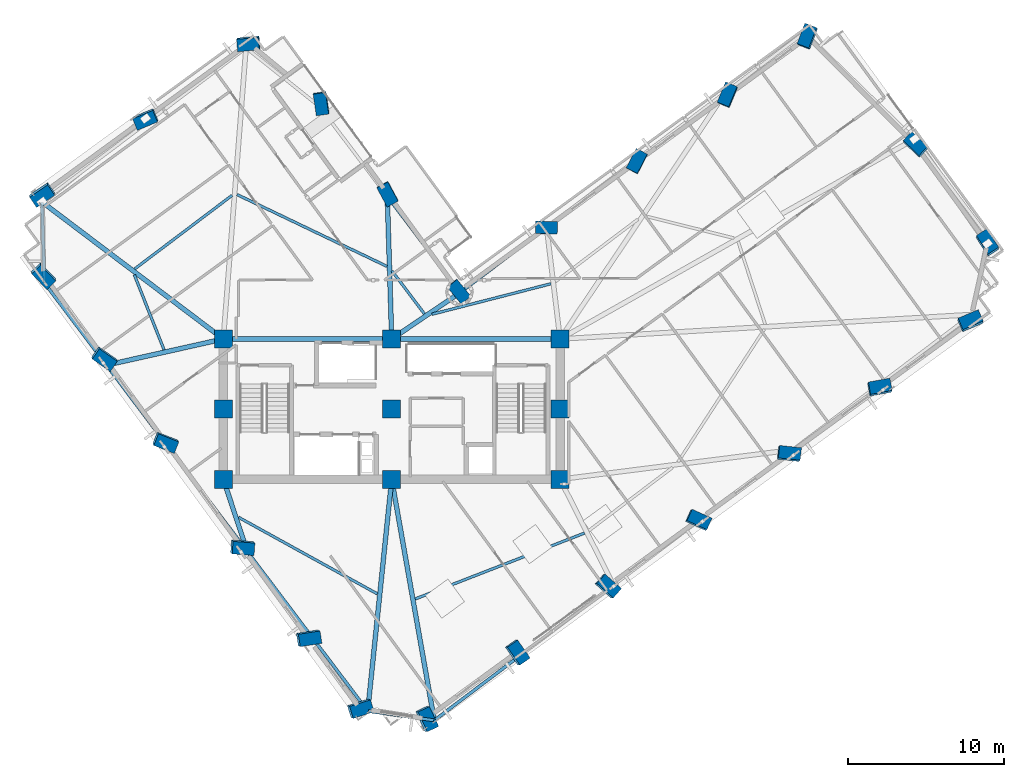
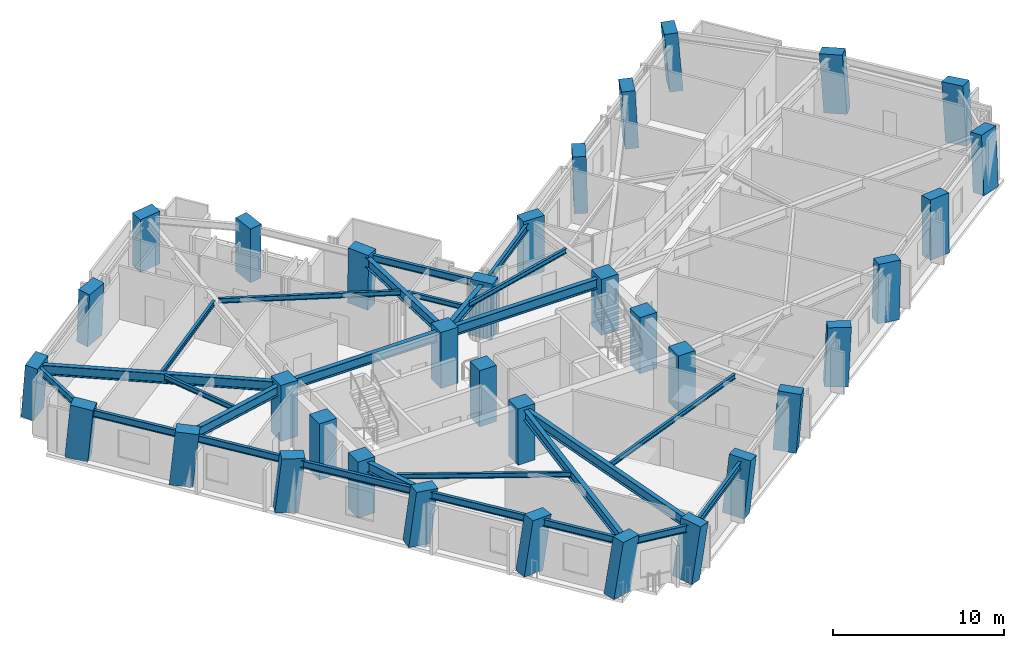
# One storey, part 1 of 14: 34 columns, 26 beams.
"""IFC4 building model written with IfcOpenShell, lengths in metres."""

from ifc_helpers import new_model, si_unit, direction, frame, origin, origin_2d, place, context, subcontext, project, spatial, rectangle, i_section, extrude, material, material_profile, profile_set, type_object, element, save


model = new_model("IFC4")

# Units and contexts
model_context = context("Model", 3, precision=1e-05, world=origin(), true_north=direction((0.0, 1.0)))
body_context = subcontext(model_context, "Body", "Model", "MODEL_VIEW")
ifc_project = project(units=[si_unit("LENGTHUNIT", "METRE"), si_unit("AREAUNIT", "SQUARE_METRE"), si_unit("VOLUMEUNIT", "CUBIC_METRE"), si_unit("PLANEANGLEUNIT", "RADIAN"), si_unit("MASSUNIT", "GRAM", prefix="KILO")], contexts=[model_context])

# Site, building, storey
site_placement = place(None, origin())
site = spatial("IfcSite", under=ifc_project, at=site_placement, CompositionType="ELEMENT")
building_placement = place(site_placement, origin())
building = spatial("IfcBuilding", under=site, at=building_placement, Name="Gaonmaruhae Medical Tower", CompositionType="ELEMENT")
storey_placement = place(building_placement, frame((0.0, 0.0, 177.800048828125)))
storey = spatial("IfcBuildingStorey", under=building, at=storey_placement, Name="L42", CompositionType="ELEMENT", Elevation=177.800048828125)

# Columns
ifc_material_1 = material(Name="Concrete C50/60", Category="concrete")
ifc_material_profile_1 = material_profile(ifc_material_1, rectangle(XDim=1.14990234375, YDim=1.14990234375, at=origin_2d()), Name="RC-1150x1150")
ifc_profile_set_1 = profile_set([ifc_material_profile_1], Name="Concrete C50/60")
column_type_1 = type_object("IfcColumnType", Name="CC-04 Zone 3 Core Column (RC-1150x1150)", PredefinedType="COLUMN", material=ifc_profile_set_1)
for number, where, z_axis, x_axis, name in (
    (1, (14.0, 7.800048828125, 0.0), (0.0, 0.0, 1.0), (1.0, 0.0, 0.0), "L42 Plumb Core Column CC11"),
    (2, (14.0, 12.300048828125, 0.0), (0.0, 0.0, 1.0), (1.0, 0.0, 0.0), "L42 Plumb Core Column CC12"),
    (3, (14.0, 16.800048828125, 0.0), (0.0, 0.0, 1.0), (1.0, 0.0, 0.0), "L42 Plumb Core Column CC13"),
    (4, (24.800048828125, 7.800048828125, 0.0), (0.0, 0.0, 1.0), (1.0, 0.0, 0.0), "L42 Plumb Core Column CC21"),
    (5, (24.800048828125, 12.300048828125, 0.0), (0.0, 0.0, 1.0), (1.0, 0.0, 0.0), "L42 Plumb Core Column CC22"),
    (6, (24.800048828125, 16.800048828125, 0.0), (0.0, 0.0, 1.0), (1.0, 0.0, 0.0), "L42 Plumb Core Column CC23"),
    (7, (35.60009765625, 7.800048828125, 0.0), (0.0, 0.0, 1.0), (1.0, 0.0, 0.0), "L42 Plumb Core Column CC31"),
    (8, (35.60009765625, 12.300048828125, 0.0), (0.0, 0.0, 1.0), (1.0, 0.0, 0.0), "L42 Plumb Core Column CC32"),
    (9, (35.60009765625, 16.800048828125, 0.0), (0.0, 0.0, 1.0), (1.0, 0.0, 0.0), "L42 Plumb Core Column CC33"),
):
    element("IfcColumn", number, at=place(storey_placement, frame(where, z_axis=z_axis, x_axis=x_axis)), inside=storey, type_object=column_type_1, Name=name, PredefinedType="COLUMN", context=body_context, shape_type="SweptSolid", body=[
        extrude(rectangle(XDim=1.14990234375, YDim=1.14990234375, at=origin_2d()), origin(), (0.0, 0.0, 1.0), 4.0),
    ])
ifc_material_2 = material(Name="Concrete C60/75", Category="concrete")
ifc_material_profile_2 = material_profile(ifc_material_2, rectangle(XDim=1.39990234375, YDim=0.800048828125, at=origin_2d()), Name="RC-1400x800")
ifc_profile_set_2 = profile_set([ifc_material_profile_2], Name="Concrete C60/75")
column_type_2 = type_object("IfcColumnType", Name="TC-02 Mid Raking Tube Pier Column (RC-1400x800)", PredefinedType="COLUMN", material=ifc_profile_set_2)
column_1_placement = place(storey_placement, frame((26.994873046875, -7.55419921875, 0.001708984375), z_axis=(0.133098149039, -0.026026468434, 0.990761073954), x_axis=(-0.417842080145, 0.904998894184, 0.079906179897)))
element("IfcColumn", 10, at=column_1_placement, inside=storey, type_object=column_type_2, Name="L42 Perimeter Tube Column S01", PredefinedType="COLUMN", context=body_context, shape_type="SweptSolid", body=[
    extrude(rectangle(XDim=1.39990234375, YDim=0.800048828125, at=origin_2d()), origin(), (0.0, 0.0, 1.0), 4.03369140625),
])
column_2_placement = place(storey_placement, frame((32.8125, -3.31201171875, 0.001708984375), z_axis=(0.11571777081, -0.002245179612, 0.993279596432), x_axis=(-0.569452762909, 0.819190589419, 0.068193320953)))
element("IfcColumn", 11, at=column_2_placement, inside=storey, type_object=column_type_2, Name="L42 Perimeter Tube Column S02", PredefinedType="COLUMN", context=body_context, shape_type="SweptSolid", body=[
    extrude(rectangle(XDim=1.39990234375, YDim=0.800048828125, at=origin_2d()), origin(), (0.0, 0.0, 1.0), 4.0234375),
])
column_3_placement = place(storey_placement, frame((38.6298828125, 0.930419921875, 0.001708984375), z_axis=(0.098283042881, 0.021516510315, 0.994925868226), x_axis=(-0.745440461571, 0.663931067812, 0.059279469018)))
element("IfcColumn", 12, at=column_3_placement, inside=storey, type_object=column_type_2, Name="L42 Perimeter Tube Column S03", PredefinedType="COLUMN", context=body_context, shape_type="SweptSolid", body=[
    extrude(rectangle(XDim=1.39990234375, YDim=0.800048828125, at=origin_2d()), origin(), (0.0, 0.0, 1.0), 4.0166015625),
])
column_4_placement = place(storey_placement, frame((44.447509765625, 5.172607421875, 0.001708984375), z_axis=(0.0805984637, 0.045439284818, 0.995710379098), x_axis=(-0.907854816297, 0.415725530239, 0.054515282577)))
element("IfcColumn", 13, at=column_4_placement, inside=storey, type_object=column_type_2, Name="L42 Perimeter Tube Column S04", PredefinedType="COLUMN", context=body_context, shape_type="SweptSolid", body=[
    extrude(rectangle(XDim=1.39990234375, YDim=0.800048828125, at=origin_2d()), origin(), (0.0, 0.0, 1.0), 4.013671875),
])
column_5_placement = place(storey_placement, frame((50.264892578125, 9.414794921875, 0.001708984375), z_axis=(0.062891068015, 0.069277491749, 0.995613048679), x_axis=(-0.992538081723, 0.108761006327, 0.055128938255)))
element("IfcColumn", 14, at=column_5_placement, inside=storey, type_object=column_type_2, Name="L42 Perimeter Tube Column S05", PredefinedType="COLUMN", context=body_context, shape_type="SweptSolid", body=[
    extrude(rectangle(XDim=1.39990234375, YDim=0.800048828125, at=origin_2d()), origin(), (0.0, 0.0, 1.0), 4.013916015625),
])
column_6_placement = place(storey_placement, frame((56.082275390625, 13.656982421875, 0.001708984375), z_axis=(0.045207734937, 0.093089045596, 0.994630931699), x_axis=(-0.982823086184, -0.174186736749, 0.060973453285)))
element("IfcColumn", 15, at=column_6_placement, inside=storey, type_object=column_type_2, Name="L42 Perimeter Tube Column S06", PredefinedType="COLUMN", context=body_context, shape_type="SweptSolid", body=[
    extrude(rectangle(XDim=1.39990234375, YDim=0.800048828125, at=origin_2d()), origin(), (0.0, 0.0, 1.0), 4.017822265625),
])
column_7_placement = place(storey_placement, frame((61.89990234375, 17.8994140625, 0.001708984375), z_axis=(0.027414073551, 0.116691764407, 0.99278975654), x_axis=(-0.920353673675, -0.384657064263, 0.070626186825)))
element("IfcColumn", 16, at=column_7_placement, inside=storey, type_object=column_type_2, Name="L42 Perimeter Tube Column S07", PredefinedType="COLUMN", context=body_context, shape_type="SweptSolid", body=[
    extrude(rectangle(XDim=1.39990234375, YDim=0.800048828125, at=origin_2d()), origin(), (0.0, 0.0, 1.0), 4.025390625),
])
column_8_placement = place(storey_placement, frame((63.00732421875, 22.914794921875, 0.001708984375), z_axis=(0.006731050457, 0.121098268128, 0.992617702047), x_axis=(0.543777741516, -0.833488041399, 0.097997207488)))
element("IfcColumn", 17, at=column_8_placement, inside=storey, type_object=column_type_2, Name="L42 Perimeter Tube Column E01", PredefinedType="COLUMN", context=body_context, shape_type="SweptSolid", body=[
    extrude(rectangle(XDim=1.39990234375, YDim=0.800048828125, at=origin_2d()), origin(), (0.0, 0.0, 1.0), 4.026123046875),
])
column_9_placement = place(storey_placement, frame((58.41162109375, 29.21728515625, 0.001708984375), z_axis=(-0.01907877043, 0.102138258255, 0.994587239371), x_axis=(0.726736856615, -0.68176627389, 0.083954088789)))
element("IfcColumn", 18, at=column_9_placement, inside=storey, type_object=column_type_2, Name="L42 Perimeter Tube Column E02", PredefinedType="COLUMN", context=body_context, shape_type="SweptSolid", body=[
    extrude(rectangle(XDim=1.39990234375, YDim=0.800048828125, at=origin_2d()), origin(), (0.0, 0.0, 1.0), 4.01806640625),
])
column_10_placement = place(storey_placement, frame((51.484375, 36.1708984375, 0.001708984375), z_axis=(-0.047589899839, 0.073453975839, 0.996162494208), x_axis=(-0.358966865401, -0.931924623335, 0.051568265112)))
element("IfcColumn", 19, at=column_10_placement, inside=storey, type_object=column_type_2, Name="L42 Perimeter Tube Column E03", PredefinedType="COLUMN", context=body_context, shape_type="SweptSolid", body=[
    extrude(rectangle(XDim=1.39990234375, YDim=0.800048828125, at=origin_2d()), origin(), (0.0, 0.0, 1.0), 4.01171875),
])
column_11_placement = place(storey_placement, frame((46.353515625, 32.429443359375, 0.001708984375), z_axis=(-0.031951216067, 0.052499994339, 0.998109648479), x_axis=(-0.38448003414, -0.922422822753, 0.036211039923)))
element("IfcColumn", 20, at=column_11_placement, inside=storey, type_object=column_type_2, Name="L42 Perimeter Tube Column EN01", PredefinedType="COLUMN", context=body_context, shape_type="SweptSolid", body=[
    extrude(rectangle(XDim=1.39990234375, YDim=0.800048828125, at=origin_2d()), origin(), (0.0, 0.0, 1.0), 4.00390625),
])
column_12_placement = place(storey_placement, frame((40.5361328125, 28.187255859375, 0.001708984375), z_axis=(-0.014288016572, 0.028576033144, 0.999489501152), x_axis=(-0.459326015506, -0.888068274517, 0.018824220468)))
element("IfcColumn", 21, at=column_12_placement, inside=storey, type_object=column_type_2, Name="L42 Perimeter Tube Column EN02", PredefinedType="COLUMN", context=body_context, shape_type="SweptSolid", body=[
    extrude(rectangle(XDim=1.39990234375, YDim=0.800048828125, at=origin_2d()), origin(), (0.0, 0.0, 1.0), 3.998291015625),
])
column_13_placement = place(storey_placement, frame((34.718505859375, 23.94482421875, 0.001708984375), z_axis=(0.003543221591, 0.004703932113, 0.999982659151), x_axis=(-0.999873545111, 0.015519473566, 0.003469831154)))
element("IfcColumn", 22, at=column_13_placement, inside=storey, type_object=column_type_2, Name="L42 Perimeter Tube Column EN03", PredefinedType="COLUMN", context=body_context, shape_type="SweptSolid", body=[
    extrude(rectangle(XDim=1.39990234375, YDim=0.800048828125, at=origin_2d()), origin(), (0.0, 0.0, 1.0), 3.996337890625),
])
column_14_placement = place(storey_placement, frame((29.10302734375, 19.849853515625, 0.001708984375), z_axis=(0.020701917139, -0.018442415858, 0.999615580073), x_axis=(-0.634495197242, 0.772441293225, 0.027391480385)))
element("IfcColumn", 23, at=column_14_placement, inside=storey, type_object=column_type_2, Name="L42 Perimeter Tube Column KN01", PredefinedType="COLUMN", context=body_context, shape_type="SweptSolid", body=[
    extrude(rectangle(XDim=1.39990234375, YDim=0.800048828125, at=origin_2d()), origin(), (0.0, 0.0, 1.0), 3.997802734375),
])
column_15_placement = place(storey_placement, frame((24.536865234375, 26.11181640625, 0.001708984375), z_axis=(-0.005127954064, -0.037604996467, 0.999279524622), x_axis=(-0.474702077533, 0.879612161779, 0.030665655638)))
element("IfcColumn", 24, at=column_15_placement, inside=storey, type_object=column_type_2, Name="L42 Perimeter Tube Column NE01", PredefinedType="COLUMN", context=body_context, shape_type="SweptSolid", body=[
    extrude(rectangle(XDim=1.39990234375, YDim=0.800048828125, at=origin_2d()), origin(), (0.0, 0.0, 1.0), 3.999267578125),
])
column_16_placement = place(storey_placement, frame((20.29443359375, 31.929443359375, 0.001708984375), z_axis=(-0.029022589013, -0.055301445872, 0.998047814191), x_axis=(-0.146974765594, 0.987852188566, 0.050462578447)))
element("IfcColumn", 25, at=column_16_placement, inside=storey, type_object=column_type_2, Name="L42 Perimeter Tube Column NE02", PredefinedType="COLUMN", context=body_context, shape_type="SweptSolid", body=[
    extrude(rectangle(XDim=1.39990234375, YDim=0.800048828125, at=origin_2d()), origin(), (0.0, 0.0, 1.0), 4.004150390625),
])
column_17_placement = place(storey_placement, frame((15.6357421875, 35.772216796875, 0.001708984375), z_axis=(-0.044671178967, -0.074553398139, 0.99621597889), x_axis=(0.994784763155, 0.088209875762, 0.051208327568)))
element("IfcColumn", 26, at=column_17_placement, inside=storey, type_object=column_type_2, Name="L42 Perimeter Tube Column N01", PredefinedType="COLUMN", context=body_context, shape_type="SweptSolid", body=[
    extrude(rectangle(XDim=1.39990234375, YDim=0.800048828125, at=origin_2d()), origin(), (0.0, 0.0, 1.0), 4.011474609375),
])
column_18_placement = place(storey_placement, frame((9.01025390625, 30.940673828125, 0.001708984375), z_axis=(-0.024485078273, -0.101524977159, 0.994531628434), x_axis=(0.922851813441, 0.380208094737, 0.061533203441)))
element("IfcColumn", 27, at=column_18_placement, inside=storey, type_object=column_type_2, Name="L42 Perimeter Tube Column N02", PredefinedType="COLUMN", context=body_context, shape_type="SweptSolid", body=[
    extrude(rectangle(XDim=1.39990234375, YDim=0.800048828125, at=origin_2d()), origin(), (0.0, 0.0, 1.0), 4.018310546875),
])
column_19_placement = place(storey_placement, frame((2.384765625, 26.109375, 0.001708984375), z_axis=(-0.004301534601, -0.128379603084, 0.991715772947), x_axis=(0.827104014737, 0.556929973682, 0.075683242671)))
element("IfcColumn", 28, at=column_19_placement, inside=storey, type_object=column_type_2, Name="L42 Perimeter Tube Column N03", PredefinedType="COLUMN", context=body_context, shape_type="SweptSolid", body=[
    extrude(rectangle(XDim=1.39990234375, YDim=0.800048828125, at=origin_2d()), origin(), (0.0, 0.0, 1.0), 4.02978515625),
])
column_20_placement = place(storey_placement, frame((2.46484375, 20.90771484375, 0.001708984375), z_axis=(0.017083826497, -0.127825794003, 0.991649489114), x_axis=(-0.690145428743, 0.716129588878, 0.104200283673)))
element("IfcColumn", 29, at=column_20_placement, inside=storey, type_object=column_type_2, Name="L42 Perimeter Tube Column W01", PredefinedType="COLUMN", context=body_context, shape_type="SweptSolid", body=[
    extrude(rectangle(XDim=1.39990234375, YDim=0.800048828125, at=origin_2d()), origin(), (0.0, 0.0, 1.0), 4.030029296875),
])
column_21_placement = place(storey_placement, frame((6.353759765625, 15.574951171875, 0.001708984375), z_axis=(0.03888408662, -0.111799331733, 0.992969756454), x_axis=(-0.820057422321, 0.564232872721, 0.095640417382)))
element("IfcColumn", 30, at=column_21_placement, inside=storey, type_object=column_type_2, Name="L42 Perimeter Tube Column W02", PredefinedType="COLUMN", context=body_context, shape_type="SweptSolid", body=[
    extrude(rectangle(XDim=1.39990234375, YDim=0.800048828125, at=origin_2d()), origin(), (0.0, 0.0, 1.0), 4.024658203125),
])
column_22_placement = place(storey_placement, frame((10.27197265625, 10.201904296875, 0.001708984375), z_axis=(0.060879894745, -0.09553833931, 0.993562310144), x_axis=(-0.928301952579, 0.360384350297, 0.091534719641)))
element("IfcColumn", 31, at=column_22_placement, inside=storey, type_object=column_type_2, Name="L42 Perimeter Tube Column W03", PredefinedType="COLUMN", context=body_context, shape_type="SweptSolid", body=[
    extrude(rectangle(XDim=1.39990234375, YDim=0.800048828125, at=origin_2d()), origin(), (0.0, 0.0, 1.0), 4.022216796875),
])
column_23_placement = place(storey_placement, frame((15.191650390625, 3.455322265625, 0.001708984375), z_axis=(0.088529498037, -0.075058936992, 0.993241503339), x_axis=(-0.993158640963, 0.069578709566, 0.093780152783)))
element("IfcColumn", 32, at=column_23_placement, inside=storey, type_object=column_type_2, Name="L42 Perimeter Tube Column W04", PredefinedType="COLUMN", context=body_context, shape_type="SweptSolid", body=[
    extrude(rectangle(XDim=1.39990234375, YDim=0.800048828125, at=origin_2d()), origin(), (0.0, 0.0, 1.0), 4.0234375),
])
column_24_placement = place(storey_placement, frame((19.433837890625, -2.3623046875, 0.001708984375), z_axis=(0.112179060197, -0.057271319225, 0.992036216298), x_axis=(-0.981809199336, -0.160292937823, 0.101768709251)))
element("IfcColumn", 33, at=column_24_placement, inside=storey, type_object=column_type_2, Name="L42 Perimeter Tube Column W05", PredefinedType="COLUMN", context=body_context, shape_type="SweptSolid", body=[
    extrude(rectangle(XDim=1.39990234375, YDim=0.800048828125, at=origin_2d()), origin(), (0.0, 0.0, 1.0), 4.0283203125),
])
column_25_placement = place(storey_placement, frame((22.7333984375, -6.886962890625, 0.001708984375), z_axis=(0.130460904837, -0.043507138487, 0.990498400407), x_axis=(-0.9456060787, -0.305748081419, 0.111118201181)))
element("IfcColumn", 34, at=column_25_placement, inside=storey, type_object=column_type_2, Name="L42 Perimeter Tube Column W06", PredefinedType="COLUMN", context=body_context, shape_type="SweptSolid", body=[
    extrude(rectangle(XDim=1.39990234375, YDim=0.800048828125, at=origin_2d()), origin(), (0.0, 0.0, 1.0), 4.03466796875),
])

# Beams
ifc_material_3 = material(Name="Steel SM355", Category="steel")
ifc_material_profile_3 = material_profile(ifc_material_3, i_section(OverallWidth=0.175048828125, OverallDepth=0.35009765625, WebThickness=0.007080078125, FlangeThickness=0.010986328125, FilletRadius=0.012939453125, at=origin_2d()), Name="H-350x175x7x11")
ifc_profile_set_3 = profile_set([ifc_material_profile_3], Name="Steel SM355")
beam_type_1 = type_object("IfcBeamType", Name="FJ-02 Upper Zone Ward Floor Joist (H-350x175x7x11)", PredefinedType="JOIST", material=ifc_profile_set_3)
beam_1_placement = place(storey_placement, frame((26.31396484375, 0.1279296875, 3.60498046875), z_axis=(0.931909032606, 0.362692093858, 0.0), x_axis=(-0.362692093858, 0.931909032606, 0.0)))
element("IfcBeam", 35, at=beam_1_placement, inside=storey, type_object=beam_type_1, Name="L42 Secondary Floor Joist FJ01", PredefinedType="JOIST", context=body_context, shape_type="SweptSolid", body=[
    extrude(i_section(OverallWidth=0.175048828125, OverallDepth=0.35009765625, WebThickness=0.007080078125, FlangeThickness=0.010986328125, FilletRadius=0.012939453125, at=origin_2d()), origin(), (0.0, 0.0, 1.0), 11.645263671875),
])
beam_2_placement = place(storey_placement, frame((35.013916015625, 20.3427734375, 3.60498046875), z_axis=(-0.968719083926, -0.248159900946, 0.0), x_axis=(0.248159900946, -0.968719083926, 0.0)))
element("IfcBeam", 36, at=beam_2_placement, inside=storey, type_object=beam_type_1, Name="L42 Secondary Floor Joist FJ07", PredefinedType="JOIST", context=body_context, shape_type="SweptSolid", body=[
    extrude(i_section(OverallWidth=0.175048828125, OverallDepth=0.35009765625, WebThickness=0.007080078125, FlangeThickness=0.010986328125, FilletRadius=0.012939453125, at=origin_2d()), origin(), (0.0, 0.0, 1.0), 7.87939453125),
])
beam_3_placement = place(storey_placement, frame((26.898681640625, 18.41259765625, 3.60498046875), z_axis=(-0.602451949631, 0.798155153079, 0.0), x_axis=(-0.798155153079, -0.602451949631, 0.0)))
element("IfcBeam", 37, at=beam_3_placement, inside=storey, type_object=beam_type_1, Name="L42 Secondary Floor Joist FJ08", PredefinedType="JOIST", context=body_context, shape_type="SweptSolid", body=[
    extrude(i_section(OverallWidth=0.175048828125, OverallDepth=0.35009765625, WebThickness=0.007080078125, FlangeThickness=0.010986328125, FilletRadius=0.012939453125, at=origin_2d()), origin(), (0.0, 0.0, 1.0), 3.453125),
])
beam_4_placement = place(storey_placement, frame((24.50048828125, 21.456298828125, 3.60498046875), z_axis=(-0.901900174479, 0.431944528007, 0.0), x_axis=(-0.431944528007, -0.901900174479, 0.0)))
element("IfcBeam", 38, at=beam_4_placement, inside=storey, type_object=beam_type_1, Name="L42 Secondary Floor Joist FJ09", PredefinedType="JOIST", context=body_context, shape_type="SweptSolid", body=[
    extrude(i_section(OverallWidth=0.175048828125, OverallDepth=0.35009765625, WebThickness=0.007080078125, FlangeThickness=0.010986328125, FilletRadius=0.012939453125, at=origin_2d()), origin(), (0.0, 0.0, 1.0), 10.66845703125),
])
beam_5_placement = place(storey_placement, frame((14.5634765625, 26.01220703125, 3.60498046875), z_axis=(-0.798103165931, -0.602520818339, 0.0), x_axis=(0.602520818339, -0.798103165931, 0.0)))
element("IfcBeam", 39, at=beam_5_placement, inside=storey, type_object=beam_type_1, Name="L42 Secondary Floor Joist FJ10", PredefinedType="JOIST", context=body_context, shape_type="SweptSolid", body=[
    extrude(i_section(OverallWidth=0.175048828125, OverallDepth=0.35009765625, WebThickness=0.007080078125, FlangeThickness=0.010986328125, FilletRadius=0.012939453125, at=origin_2d()), origin(), (0.0, 0.0, 1.0), 7.831787109375),
])
beam_6_placement = place(storey_placement, frame((8.2919921875, 20.922119140625, 3.60498046875), z_axis=(0.368029761848, -0.929814010646, 0.0), x_axis=(0.929814010646, 0.368029761848, 0.0)))
element("IfcBeam", 40, at=beam_6_placement, inside=storey, type_object=beam_type_1, Name="L42 Secondary Floor Joist FJ11", PredefinedType="JOIST", context=body_context, shape_type="SweptSolid", body=[
    extrude(i_section(OverallWidth=0.175048828125, OverallDepth=0.35009765625, WebThickness=0.007080078125, FlangeThickness=0.010986328125, FilletRadius=0.012939453125, at=origin_2d()), origin(), (0.0, 0.0, 1.0), 5.17626953125),
])
beam_7_placement = place(storey_placement, frame((14.972900390625, 5.36669921875, 3.60498046875), z_axis=(0.87553218855, -0.483159794284, 0.0), x_axis=(0.483159794284, 0.87553218855, 0.0)))
element("IfcBeam", 41, at=beam_7_placement, inside=storey, type_object=beam_type_1, Name="L42 Secondary Floor Joist FJ13", PredefinedType="JOIST", context=body_context, shape_type="SweptSolid", body=[
    extrude(i_section(OverallWidth=0.175048828125, OverallDepth=0.35009765625, WebThickness=0.007080078125, FlangeThickness=0.010986328125, FilletRadius=0.012939453125, at=origin_2d()), origin(), (0.0, 0.0, 1.0), 10.17578125),
])
ifc_material_4 = material(Name="Steel SM420", Category="steel")
ifc_material_profile_4 = material_profile(ifc_material_4, i_section(OverallWidth=0.300048828125, OverallDepth=0.699951171875, WebThickness=0.012939453125, FlangeThickness=0.02392578125, FilletRadius=0.01806640625, at=origin_2d()), Name="H-700x300x13x24")
ifc_profile_set_4 = profile_set([ifc_material_profile_4], Name="Steel SM420")
beam_type_2 = type_object("IfcBeamType", Name="PG-03 Zone 3 Radial Floor Girder (H-700x300x13x24)", PredefinedType="BEAM", material=ifc_profile_set_4)
for number, where, z_axis, x_axis, name in (
    (42, (14.050048828125, 16.800048828125, 3.429931640625), (1.0, 0.0, 0.0), (0.0, 1.0, 0.0), "L42 Beam BM-L42-CG-N1"),
    (43, (24.85009765625, 16.800048828125, 3.429931640625), (1.0, 0.0, 0.0), (0.0, 1.0, 0.0), "L42 Beam BM-L42-CG-N2"),
):
    element("IfcBeam", number, at=place(storey_placement, frame(where, z_axis=z_axis, x_axis=x_axis)), inside=storey, type_object=beam_type_2, Name=name, PredefinedType="BEAM", context=body_context, shape_type="SweptSolid", body=[
        extrude(i_section(OverallWidth=0.300048828125, OverallDepth=0.699951171875, WebThickness=0.012939453125, FlangeThickness=0.02392578125, FilletRadius=0.01806640625, at=origin_2d()), origin(), (0.0, 0.0, 1.0), 10.699951171875),
    ])
beam_8_placement = place(storey_placement, frame((24.80859375, 7.750732421875, 3.429931640625), z_axis=(0.174025506126, -0.984741145285, 0.0), x_axis=(0.984741145285, 0.174025506126, 0.0)))
element("IfcBeam", 44, at=beam_8_placement, inside=storey, type_object=beam_type_2, Name="L42 Radial Primary Girder S01", PredefinedType="BEAM", context=body_context, shape_type="SweptSolid", body=[
    extrude(i_section(OverallWidth=0.300048828125, OverallDepth=0.699951171875, WebThickness=0.012939453125, FlangeThickness=0.02392578125, FilletRadius=0.01806640625, at=origin_2d()), origin(), (0.0, 0.0, 1.0), 15.598876953125),
])
beam_9_placement = place(storey_placement, frame((24.84130859375, 16.828125, 3.429931640625), z_axis=(0.82747187906, 0.561507158783, 0.0), x_axis=(-0.561507158783, 0.82747187906, 0.0)))
element("IfcBeam", 45, at=beam_9_placement, inside=storey, type_object=beam_type_2, Name="L42 Radial Primary Girder KN01", PredefinedType="BEAM", context=body_context, shape_type="SweptSolid", body=[
    extrude(i_section(OverallWidth=0.300048828125, OverallDepth=0.699951171875, WebThickness=0.012939453125, FlangeThickness=0.02392578125, FilletRadius=0.01806640625, at=origin_2d()), origin(), (0.0, 0.0, 1.0), 5.2001953125),
])
beam_10_placement = place(storey_placement, frame((24.79833984375, 16.85009765625, 3.429931640625), z_axis=(-0.030943009615, 0.99952115043, 0.0), x_axis=(-0.99952115043, -0.030943009615, 0.0)))
element("IfcBeam", 46, at=beam_10_placement, inside=storey, type_object=beam_type_2, Name="L42 Radial Primary Girder NE01", PredefinedType="BEAM", context=body_context, shape_type="SweptSolid", body=[
    extrude(i_section(OverallWidth=0.300048828125, OverallDepth=0.699951171875, WebThickness=0.012939453125, FlangeThickness=0.02392578125, FilletRadius=0.01806640625, at=origin_2d()), origin(), (0.0, 0.0, 1.0), 9.065673828125),
])
beam_11_placement = place(storey_placement, frame((13.960205078125, 16.830078125, 3.429931640625), z_axis=(-0.79777523515, 0.602954952033, 0.0), x_axis=(-0.602954952033, -0.79777523515, 0.0)))
element("IfcBeam", 47, at=beam_11_placement, inside=storey, type_object=beam_type_2, Name="L42 Radial Primary Girder N03", PredefinedType="BEAM", context=body_context, shape_type="SweptSolid", body=[
    extrude(i_section(OverallWidth=0.300048828125, OverallDepth=0.699951171875, WebThickness=0.012939453125, FlangeThickness=0.02392578125, FilletRadius=0.01806640625, at=origin_2d()), origin(), (0.0, 0.0, 1.0), 14.4814453125),
])
beam_12_placement = place(storey_placement, frame((13.951171875, 16.7890625, 3.429931640625), z_axis=(-0.975888860373, -0.218268028352, 0.0), x_axis=(0.218268028352, -0.975888860373, 0.0)))
element("IfcBeam", 48, at=beam_12_placement, inside=storey, type_object=beam_type_2, Name="L42 Radial Primary Girder W02", PredefinedType="BEAM", context=body_context, shape_type="SweptSolid", body=[
    extrude(i_section(OverallWidth=0.300048828125, OverallDepth=0.699951171875, WebThickness=0.012939453125, FlangeThickness=0.02392578125, FilletRadius=0.01806640625, at=origin_2d()), origin(), (0.0, 0.0, 1.0), 7.57470703125),
])
beam_13_placement = place(storey_placement, frame((14.015869140625, 7.75244140625, 3.429931640625), z_axis=(0.316059833603, -0.948739259008, 0.0), x_axis=(0.948739259008, 0.316059833603, 0.0)))
element("IfcBeam", 49, at=beam_13_placement, inside=storey, type_object=beam_type_2, Name="L42 Radial Primary Girder W04", PredefinedType="BEAM", context=body_context, shape_type="SweptSolid", body=[
    extrude(i_section(OverallWidth=0.300048828125, OverallDepth=0.699951171875, WebThickness=0.012939453125, FlangeThickness=0.02392578125, FilletRadius=0.01806640625, at=origin_2d()), origin(), (0.0, 0.0, 1.0), 4.797607421875),
])
beam_14_placement = place(storey_placement, frame((24.794921875, 7.750244140625, 3.429931640625), z_axis=(-0.103069755261, -0.994674130331, 0.0), x_axis=(0.994674130331, -0.103069755261, 0.0)))
element("IfcBeam", 50, at=beam_14_placement, inside=storey, type_object=beam_type_2, Name="L42 Radial Primary Girder W06", PredefinedType="BEAM", context=body_context, shape_type="SweptSolid", body=[
    extrude(i_section(OverallWidth=0.300048828125, OverallDepth=0.699951171875, WebThickness=0.012939453125, FlangeThickness=0.02392578125, FilletRadius=0.01806640625, at=origin_2d()), origin(), (0.0, 0.0, 1.0), 14.84228515625),
])
ifc_material_profile_5 = material_profile(ifc_material_3, i_section(OverallWidth=0.199951171875, OverallDepth=0.5, WebThickness=0.010009765625, FlangeThickness=0.01611328125, FilletRadius=0.012939453125, at=origin_2d()), Name="H-500x200x10x16")
ifc_profile_set_5 = profile_set([ifc_material_profile_5], Name="Steel SM355")
beam_type_3 = type_object("IfcBeamType", Name="SP-02 Upper Perimeter Spandrel Beam (H-500x200x10x16)", PredefinedType="SPANDREL", material=ifc_profile_set_5)
beam_15_placement = place(storey_placement, frame((27.56396484375, -7.63525390625, 3.530029296875), z_axis=(0.798103284433, 0.60252066137, 0.0), x_axis=(-0.60252066137, 0.798103284433, 0.0)))
element("IfcBeam", 51, at=beam_15_placement, inside=storey, type_object=beam_type_3, Name="L42 Perimeter Spandrel Beam S01-S02", PredefinedType="SPANDREL", context=body_context, shape_type="SweptSolid", body=[
    extrude(i_section(OverallWidth=0.199951171875, OverallDepth=0.5, WebThickness=0.010009765625, FlangeThickness=0.01611328125, FilletRadius=0.012939453125, at=origin_2d()), origin(), (0.0, 0.0, 1.0), 7.1201171875),
])
beam_16_placement = place(storey_placement, frame((34.70068359375, 23.939453125, 3.530029296875), z_axis=(-0.798111119758, -0.6025102825, 0.0), x_axis=(0.6025102825, -0.798111119758, 0.0)))
element("IfcBeam", 52, at=beam_16_placement, inside=storey, type_object=beam_type_3, Name="L42 Perimeter Spandrel Beam EN03-KN01", PredefinedType="SPANDREL", context=body_context, shape_type="SweptSolid", body=[
    extrude(i_section(OverallWidth=0.199951171875, OverallDepth=0.5, WebThickness=0.010009765625, FlangeThickness=0.01611328125, FilletRadius=0.012939453125, at=origin_2d()), origin(), (0.0, 0.0, 1.0), 6.869873046875),
])
beam_17_placement = place(storey_placement, frame((29.16162109375, 19.80810546875, 3.530029296875), z_axis=(-0.602528194469, 0.798097597334, 0.0), x_axis=(-0.798097597334, -0.602528194469, 0.0)))
element("IfcBeam", 53, at=beam_17_placement, inside=storey, type_object=beam_type_3, Name="L42 Perimeter Spandrel Beam KN01-NE01", PredefinedType="SPANDREL", context=body_context, shape_type="SweptSolid", body=[
    extrude(i_section(OverallWidth=0.199951171875, OverallDepth=0.5, WebThickness=0.010009765625, FlangeThickness=0.01611328125, FilletRadius=0.012939453125, at=origin_2d()), origin(), (0.0, 0.0, 1.0), 7.669921875),
])
beam_18_placement = place(storey_placement, frame((2.36865234375, 25.5517578125, 3.530029296875), z_axis=(0.031983247642, -0.99948840507, 0.0), x_axis=(0.99948840507, 0.031983247642, 0.0)))
element("IfcBeam", 54, at=beam_18_placement, inside=storey, type_object=beam_type_3, Name="L42 Perimeter Spandrel Beam N03-W01", PredefinedType="SPANDREL", context=body_context, shape_type="SweptSolid", body=[
    extrude(i_section(OverallWidth=0.199951171875, OverallDepth=0.5, WebThickness=0.010009765625, FlangeThickness=0.01611328125, FilletRadius=0.012939453125, at=origin_2d()), origin(), (0.0, 0.0, 1.0), 5.1220703125),
])
beam_19_placement = place(storey_placement, frame((2.557861328125, 20.3603515625, 3.530029296875), z_axis=(0.602501428955, -0.798117803402, 0.0), x_axis=(0.798117803402, 0.602501428955, 0.0)))
element("IfcBeam", 55, at=beam_19_placement, inside=storey, type_object=beam_type_3, Name="L42 Perimeter Spandrel Beam W01-W02", PredefinedType="SPANDREL", context=body_context, shape_type="SweptSolid", body=[
    extrude(i_section(OverallWidth=0.199951171875, OverallDepth=0.5, WebThickness=0.010009765625, FlangeThickness=0.01611328125, FilletRadius=0.012939453125, at=origin_2d()), origin(), (0.0, 0.0, 1.0), 6.519775390625),
])
beam_20_placement = place(storey_placement, frame((6.534423828125, 15.0927734375, 3.530029296875), z_axis=(0.602523935902, -0.798100812345, 0.0), x_axis=(0.798100812345, 0.602523935902, 0.0)))
element("IfcBeam", 56, at=beam_20_placement, inside=storey, type_object=beam_type_3, Name="L42 Perimeter Spandrel Beam W02-W03", PredefinedType="SPANDREL", context=body_context, shape_type="SweptSolid", body=[
    extrude(i_section(OverallWidth=0.199951171875, OverallDepth=0.5, WebThickness=0.010009765625, FlangeThickness=0.01611328125, FilletRadius=0.012939453125, at=origin_2d()), origin(), (0.0, 0.0, 1.0), 6.56982421875),
])
beam_21_placement = place(storey_placement, frame((10.541015625, 9.785400390625, 3.530029296875), z_axis=(0.602524005944, -0.798100759466, 0.0), x_axis=(0.798100759466, 0.602524005944, 0.0)))
element("IfcBeam", 57, at=beam_21_placement, inside=storey, type_object=beam_type_3, Name="L42 Perimeter Spandrel Beam W03-W04", PredefinedType="SPANDREL", context=body_context, shape_type="SweptSolid", body=[
    extrude(i_section(OverallWidth=0.199951171875, OverallDepth=0.5, WebThickness=0.010009765625, FlangeThickness=0.01611328125, FilletRadius=0.012939453125, at=origin_2d()), origin(), (0.0, 0.0, 1.0), 8.27001953125),
])
beam_22_placement = place(storey_placement, frame((15.572021484375, 3.121337890625, 3.530029296875), z_axis=(0.60252066137, -0.798103284433, 0.0), x_axis=(0.798103284433, 0.60252066137, 0.0)))
element("IfcBeam", 58, at=beam_22_placement, inside=storey, type_object=beam_type_3, Name="L42 Perimeter Spandrel Beam W04-W05", PredefinedType="SPANDREL", context=body_context, shape_type="SweptSolid", body=[
    extrude(i_section(OverallWidth=0.199951171875, OverallDepth=0.5, WebThickness=0.010009765625, FlangeThickness=0.01611328125, FilletRadius=0.012939453125, at=origin_2d()), origin(), (0.0, 0.0, 1.0), 7.1201171875),
])
beam_23_placement = place(storey_placement, frame((19.91015625, -2.625244140625, 3.530029296875), z_axis=(0.602523333819, -0.798101266885, 0.0), x_axis=(0.798101266885, 0.602523333819, 0.0)))
element("IfcBeam", 59, at=beam_23_placement, inside=storey, type_object=beam_type_3, Name="L42 Perimeter Spandrel Beam W05-W06", PredefinedType="SPANDREL", context=body_context, shape_type="SweptSolid", body=[
    extrude(i_section(OverallWidth=0.199951171875, OverallDepth=0.5, WebThickness=0.010009765625, FlangeThickness=0.01611328125, FilletRadius=0.012939453125, at=origin_2d()), origin(), (0.0, 0.0, 1.0), 5.52001953125),
])
beam_24_placement = place(storey_placement, frame((23.2998046875, -7.068115234375, 3.530029296875), z_axis=(0.990383038403, -0.138352583074, 0.0), x_axis=(0.138352583074, 0.990383038403, 0.0)))
element("IfcBeam", 60, at=beam_24_placement, inside=storey, type_object=beam_type_3, Name="L42 Perimeter Spandrel Beam W06-S01", PredefinedType="SPANDREL", context=body_context, shape_type="SweptSolid", body=[
    extrude(i_section(OverallWidth=0.199951171875, OverallDepth=0.5, WebThickness=0.010009765625, FlangeThickness=0.01611328125, FilletRadius=0.012939453125, at=origin_2d()), origin(), (0.0, 0.0, 1.0), 4.2333984375),
])

save(model, "model.ifc")
